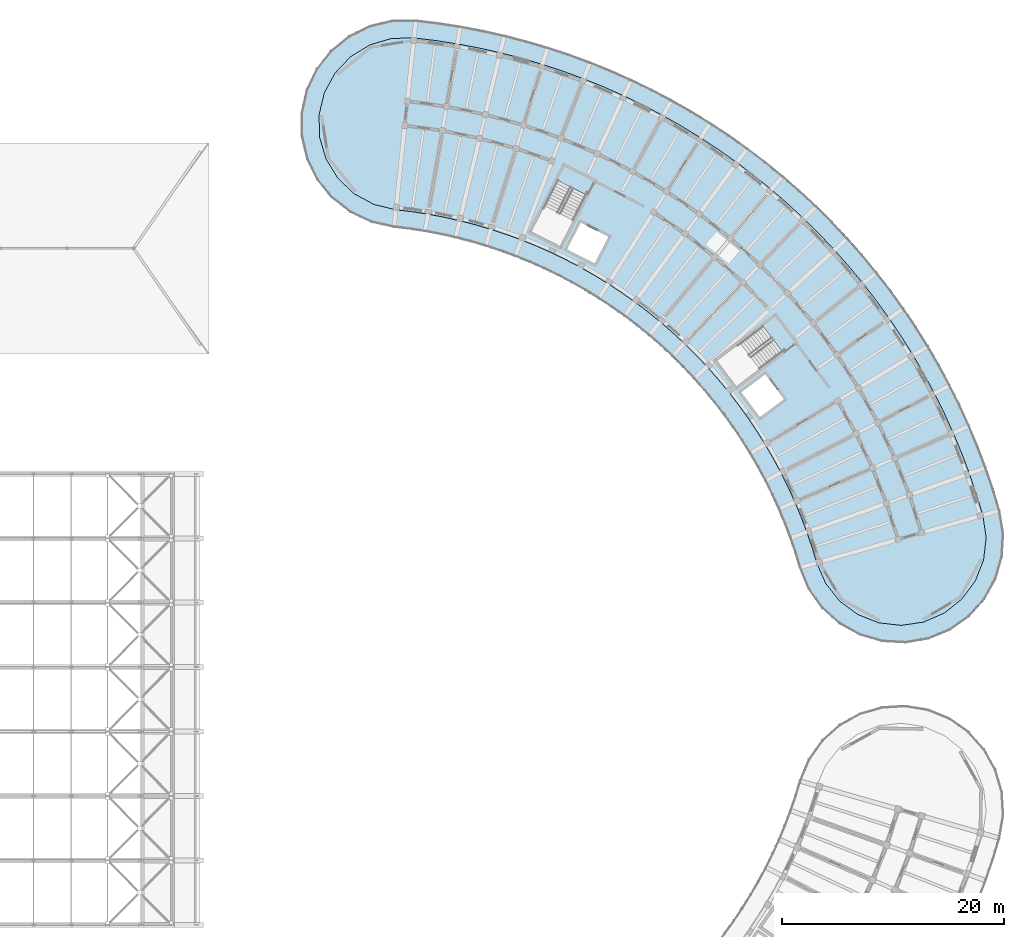
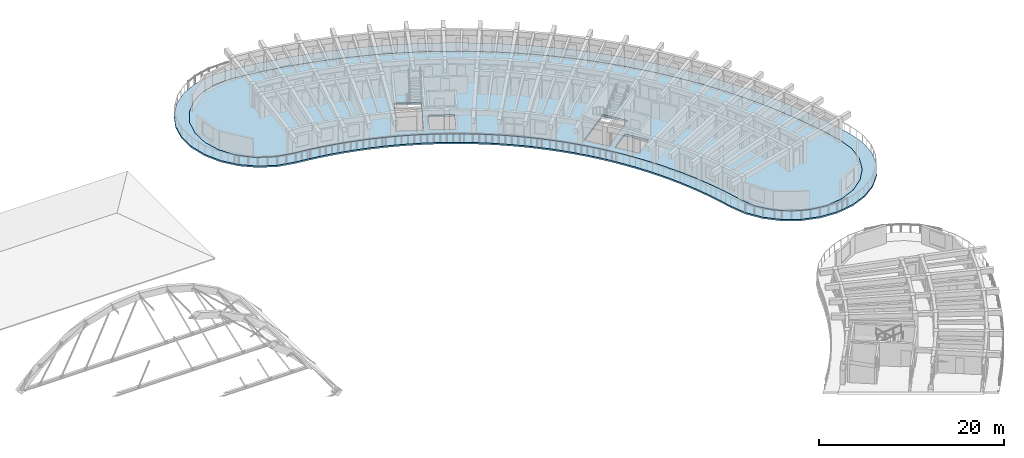
# One storey, part 32 of 81: 2 slabs.
"""IFC4 building model written with IfcOpenShell, lengths in metres."""

from ifc_helpers import new_model, si_unit, direction, frame, origin, place, context, subcontext, project, spatial, polyline, outline, extrude, material, layer, layer_set, type_object, element, save


model = new_model("IFC4")

# Units and contexts
model_context = context("Model", 3, precision=1e-05, world=origin(), true_north=direction((0.0, 1.0)))
body_context = subcontext(model_context, "Body", "Model", "MODEL_VIEW")
ifc_project = project(units=[si_unit("LENGTHUNIT", "METRE"), si_unit("AREAUNIT", "SQUARE_METRE"), si_unit("VOLUMEUNIT", "CUBIC_METRE"), si_unit("PLANEANGLEUNIT", "RADIAN"), si_unit("MASSUNIT", "GRAM", prefix="KILO")], contexts=[model_context])

# Site, building, storey
site_placement = place(None, origin())
site = spatial("IfcSite", under=ifc_project, at=site_placement, CompositionType="ELEMENT")
building_placement = place(site_placement, origin())
building = spatial("IfcBuilding", under=site, at=building_placement, Name="Tanwirah Colonnade Gardens", CompositionType="ELEMENT")
storey_placement = place(building_placement, frame((0.0, 0.0, 8.840087890625)))
storey = spatial("IfcBuildingStorey", under=building, at=storey_placement, Name="L02", CompositionType="ELEMENT", Elevation=8.840087890625)

# Slabs
ifc_material_1 = material(Name="White architectural precast concrete C40/50", Category="concrete")
ifc_layer_1 = layer(ifc_material_1, 0.199951171875)
ifc_layer_set_1 = layer_set([ifc_layer_1], Name="White architectural precast concrete C40/50")
slab_type_1 = type_object("IfcSlabType", Name="SL-BAL-200", PredefinedType="FLOOR", material=ifc_layer_set_1)
slab_1_placement = place(storey_placement, frame((0.0, 0.0, -0.2001953125)))
element("IfcSlab", 1, at=slab_1_placement, inside=storey, type_object=slab_type_1, Name="Block B L02 Continuous White Balcony Ribbon", PredefinedType="FLOOR", context=body_context, shape_type="SweptSolid", body=[
    extrude(outline(polyline([(162.7529296875, 69.996337890625), (163.96875, 68.2783203125), (165.53662109375, 66.873779296875), (167.37744140625, 65.853271484375), (169.3994140625, 65.267822265625), (171.5009765625, 65.147216796875), (173.57666015625, 65.497314453125), (175.522216796875, 66.30029296875), (177.240478515625, 67.516357421875), (178.64501953125, 69.083984375), (179.66552734375, 70.925048828125), (180.250732421875, 72.947021484375), (180.37158203125, 75.048583984375), (180.021484375, 77.1240234375), (179.431640625, 79.060302734375), (178.778076171875, 80.97607421875), (178.06201171875, 82.869140625), (177.28369140625, 84.73779296875), (176.4443359375, 86.57958984375), (175.544677734375, 88.392822265625), (174.585693359375, 90.17529296875), (173.568603515625, 91.92529296875), (172.494384765625, 93.640869140625), (171.3642578125, 95.320068359375), (170.17919921875, 96.9609375), (168.940673828125, 98.56201171875), (167.650146484375, 100.121337890625), (166.30908203125, 101.63720703125), (164.91845703125, 103.108154296875), (163.48046875, 104.532470703125), (161.99609375, 105.90869140625), (160.467041015625, 107.235107421875), (158.895263671875, 108.510498046875), (157.282470703125, 109.7333984375), (155.6298828125, 110.90234375), (153.93994140625, 112.01611328125), (152.214111328125, 113.07373046875), (150.454345703125, 114.073974609375), (148.66259765625, 115.015380859375), (146.8408203125, 115.8974609375), (144.990966796875, 116.718994140625), (143.114990234375, 117.47900390625), (141.21484375, 118.1767578125), (139.29296875, 118.811767578125), (137.35107421875, 119.3828125), (135.391357421875, 119.8896484375), (133.416259765625, 120.33154296875), (131.427490234375, 120.7080078125), (129.42724609375, 121.018798828125), (127.41796875, 121.263671875), (125.313232421875, 121.247802734375), (123.2646484375, 120.76416015625), (121.375, 119.836669921875), (119.7392578125, 118.511962890625), (118.439208984375, 116.8564453125), (117.5400390625, 114.953369140625), (117.0869140625, 112.897705078125), (117.102783203125, 110.792724609375), (117.58642578125, 108.744140625), (118.513916015625, 106.854736328125), (119.838623046875, 105.21875), (121.494140625, 103.918701171875), (123.397216796875, 103.019775390625), (125.452880859375, 102.566650390625), (126.846923828125, 102.396728515625), (128.234619140625, 102.18115234375), (129.614501953125, 101.919921875), (130.98486328125, 101.61328125), (132.344482421875, 101.26171875), (133.69189453125, 100.865478515625), (135.025390625, 100.425048828125), (136.343505859375, 99.94091796875), (137.645263671875, 99.41357421875), (138.9287109375, 98.843505859375), (140.192626953125, 98.231689453125), (141.435791015625, 97.578369140625), (142.65673828125, 96.884521484375), (143.85400390625, 96.150634765625), (145.026611328125, 95.3779296875), (146.173095703125, 94.566650390625), (147.292236328125, 93.71826171875), (148.3828125, 92.83349609375), (149.443603515625, 91.9130859375), (150.473388671875, 90.95849609375), (151.47119140625, 89.97021484375), (152.435791015625, 88.94970703125), (153.366455078125, 87.89794921875), (154.26171875, 86.81591796875), (155.12109375, 85.705078125), (155.943115234375, 84.566650390625), (156.727294921875, 83.401611328125), (157.47265625, 82.21142578125), (158.178466796875, 80.997314453125), (158.84375, 79.760498046875), (159.468017578125, 78.50244140625), (160.05029296875, 77.224609375), (160.590087890625, 75.92822265625), (161.087158203125, 74.61474609375), (161.54052734375, 73.28564453125), (161.94970703125, 71.942138671875), (162.7529296875, 69.996337890625)]), holes=[polyline([(164.31689453125, 70.526123046875), (163.506591796875, 72.39013671875), (163.082275390625, 73.78271484375), (163.08203125, 73.783447265625), (162.611572265625, 75.16259765625), (162.611328125, 75.1630859375), (162.095947265625, 76.52587890625), (162.095703125, 76.526611328125), (161.535400390625, 77.87158203125), (161.53515625, 77.872314453125), (160.930908203125, 79.1982421875), (160.9306640625, 79.19873046875), (160.282958984375, 80.504150390625), (160.28271484375, 80.504638671875), (159.59228515625, 81.787841796875), (159.592041015625, 81.788330078125), (158.85986328125, 83.048095703125), (158.859619140625, 83.048828125), (158.086181640625, 84.28369140625), (158.0859375, 84.2841796875), (157.272216796875, 85.492919921875), (157.271728515625, 85.493408203125), (156.418701171875, 86.6748046875), (156.41845703125, 86.67529296875), (155.52685546875, 87.827880859375), (155.526611328125, 87.828369140625), (154.597412109375, 88.950927734375), (154.59716796875, 88.951416015625), (153.631591796875, 90.042724609375), (153.631103515625, 90.043212890625), (152.630126953125, 91.10205078125), (152.629638671875, 91.1025390625), (151.594482421875, 92.1279296875), (151.593994140625, 92.12841796875), (150.525390625, 93.118896484375), (150.52490234375, 93.119384765625), (149.42431640625, 94.07421875), (149.423828125, 94.07470703125), (148.292236328125, 94.99267578125), (148.291748046875, 94.9931640625), (147.130615234375, 95.87353515625), (147.130126953125, 95.873779296875), (145.940673828125, 96.71533203125), (145.940185546875, 96.7158203125), (144.723388671875, 97.517578125), (144.722900390625, 97.51806640625), (143.48046875, 98.279296875), (143.47998046875, 98.279541015625), (142.213134765625, 98.99951171875), (142.212646484375, 99.0), (140.9228515625, 99.677734375), (140.922119140625, 99.677978515625), (139.61083984375, 100.31298828125), (139.610107421875, 100.313232421875), (138.2783203125, 100.904541015625), (138.27783203125, 100.90478515625), (136.92724609375, 101.451904296875), (136.9267578125, 101.4521484375), (135.55908203125, 101.95458984375), (135.558349609375, 101.954833984375), (134.1748046875, 102.411865234375), (134.174072265625, 102.411865234375), (132.7763671875, 102.822998046875), (132.775634765625, 102.8232421875), (131.364990234375, 103.18798828125), (131.3642578125, 103.188232421875), (129.9423828125, 103.50634765625), (129.941650390625, 103.506591796875), (128.510009765625, 103.777587890625), (128.509521484375, 103.777587890625), (127.069580078125, 104.00146484375), (127.069091796875, 104.00146484375), (125.623779296875, 104.177490234375), (123.6474609375, 104.652099609375), (121.862548828125, 105.62109375), (120.389404296875, 107.01904296875), (119.328369140625, 108.750732421875), (118.75146484375, 110.697998046875), (118.6982421875, 112.728271484375), (119.17236328125, 114.703125), (120.141357421875, 116.488037109375), (121.53955078125, 117.961181640625), (123.271240234375, 119.0224609375), (125.218505859375, 119.59912109375), (127.249755859375, 119.65234375), (129.204833984375, 119.414306640625), (131.15234375, 119.111572265625), (133.088623046875, 118.744873046875), (135.01171875, 118.314697265625), (136.919677734375, 117.8212890625), (138.810302734375, 117.26513671875), (140.681640625, 116.647216796875), (142.531494140625, 115.9677734375), (144.35791015625, 115.227783203125), (146.158935546875, 114.427978515625), (147.932861328125, 113.5693359375), (149.67724609375, 112.652587890625), (151.390625, 111.6787109375), (153.07080078125, 110.649169921875), (154.71630859375, 109.564453125), (156.3251953125, 108.42626953125), (157.8955078125, 107.23583984375), (159.42578125, 105.994140625), (160.914306640625, 104.70263671875), (162.359619140625, 103.36279296875), (163.759765625, 101.97607421875), (165.113525390625, 100.5439453125), (166.41943359375, 99.068115234375), (167.67578125, 97.5498046875), (168.881591796875, 95.990966796875), (170.035400390625, 94.393310546875), (171.1357421875, 92.758544921875), (172.181640625, 91.08837890625), (173.171875, 89.384521484375), (174.10546875, 87.64892578125), (174.9814453125, 85.883544921875), (175.798828125, 84.09033203125), (176.556396484375, 82.271240234375), (177.253662109375, 80.427978515625), (177.889892578125, 78.562744140625), (178.4638671875, 76.6787109375), (178.76416015625, 74.6689453125), (178.534423828125, 72.651123046875), (177.7900390625, 70.761474609375), (176.58203125, 69.12890625), (174.992431640625, 67.864501953125), (173.130126953125, 67.0546875), (171.121337890625, 66.75439453125), (169.103515625, 66.984375), (167.2138671875, 67.728759765625), (165.581298828125, 68.936767578125), (164.31689453125, 70.526123046875)])]), origin(), (0.0, 0.0, 1.0), 0.2001953125),
])
ifc_material_2 = material(Name="Precast concrete C40/50", Category="concrete")
ifc_layer_2 = layer(ifc_material_2, 0.2548828125)
ifc_layer_set_2 = layer_set([ifc_layer_2], Name="Precast concrete C40/50")
slab_type_2 = type_object("IfcSlabType", Name="SL-RES-255", PredefinedType="FLOOR", material=ifc_layer_set_2)
slab_2_placement = place(storey_placement, frame((0.0, 0.0, -0.255126953125)))
element("IfcSlab", 2, at=slab_2_placement, inside=storey, type_object=slab_type_2, Name="Block B L02 Precast Composite Floor Slab", PredefinedType="FLOOR", context=body_context, shape_type="SweptSolid", body=[
    extrude(outline(polyline([(162.5927734375, 75.156005859375), (163.06298828125, 73.777099609375), (163.48779296875, 72.383056640625), (164.2998046875, 70.515869140625), (165.5673828125, 68.92236328125), (167.2041015625, 67.711181640625), (169.0986328125, 66.96484375), (171.121826171875, 66.734375), (173.135498046875, 67.035400390625), (175.0029296875, 67.84716796875), (176.596435546875, 69.11474609375), (177.8076171875, 70.751708984375), (178.553955078125, 72.646240234375), (178.784423828125, 74.669189453125), (178.4833984375, 76.68310546875), (177.908935546875, 78.56884765625), (177.2724609375, 80.434814453125), (176.574951171875, 82.278564453125), (175.817138671875, 84.098388671875), (174.99951171875, 85.892333984375), (174.123291015625, 87.658203125), (173.189453125, 89.394287109375), (172.19873046875, 91.0986328125), (171.152587890625, 92.76953125), (170.0517578125, 94.40478515625), (168.897705078125, 96.0029296875), (167.69140625, 97.562255859375), (166.4345703125, 99.0810546875), (165.12841796875, 100.5576171875), (163.774169921875, 101.990234375), (162.37353515625, 103.377197265625), (160.927734375, 104.717529296875), (159.438720703125, 106.009521484375), (157.907958984375, 107.25146484375), (156.3369140625, 108.442626953125), (154.7275390625, 109.5810546875), (153.08154296875, 110.666015625), (151.400634765625, 111.696044921875), (149.686767578125, 112.669921875), (147.94189453125, 113.587158203125), (146.16748046875, 114.446044921875), (144.36572265625, 115.24609375), (142.53857421875, 115.986328125), (140.688232421875, 116.666015625), (138.816162109375, 117.284423828125), (136.925048828125, 117.840576171875), (135.016357421875, 118.334228515625), (133.092529296875, 118.7646484375), (131.15576171875, 119.13134765625), (129.207763671875, 119.43408203125), (127.250732421875, 119.67236328125), (125.21533203125, 119.619140625), (123.262939453125, 119.040771484375), (121.52685546875, 117.976806640625), (120.125244140625, 116.499755859375), (119.153564453125, 114.71044921875), (118.67822265625, 112.73046875), (118.7314453125, 110.695068359375), (119.309814453125, 108.74267578125), (120.373779296875, 107.00634765625), (121.850830078125, 105.604736328125), (123.64013671875, 104.63330078125), (125.6201171875, 104.157958984375), (127.066650390625, 103.981689453125), (128.50634765625, 103.758056640625), (129.93798828125, 103.48681640625), (131.35986328125, 103.168701171875), (132.770751953125, 102.803955078125), (134.16845703125, 102.392822265625), (135.552001953125, 101.935791015625), (136.919921875, 101.433349609375), (138.270263671875, 100.88623046875), (139.60205078125, 100.294921875), (140.91357421875, 99.659912109375), (142.203369140625, 98.982177734375), (143.47021484375, 98.26220703125), (144.71240234375, 97.5009765625), (145.92919921875, 96.698974609375), (147.11865234375, 95.857421875), (148.27978515625, 94.977294921875), (149.4111328125, 94.05908203125), (150.51171875, 93.104248046875), (151.580322265625, 92.11376953125), (152.61572265625, 91.08837890625), (153.61669921875, 90.029541015625), (154.58203125, 88.938232421875), (155.510986328125, 87.815673828125), (156.402587890625, 86.6630859375), (157.255615234375, 85.48193359375), (158.0693359375, 84.27294921875), (158.842529296875, 83.0380859375), (159.57470703125, 81.7783203125), (160.26513671875, 80.4951171875), (160.91259765625, 79.18994140625), (161.516845703125, 77.864013671875), (162.0771484375, 76.518798828125), (162.5927734375, 75.156005859375)]), holes=[polyline([(160.4169921875, 91.38427734375), (156.2666015625, 88.256591796875), (154.512939453125, 90.583740234375), (158.663330078125, 93.71142578125), (160.4169921875, 91.38427734375)]), polyline([(158.402587890625, 85.5048828125), (156.717529296875, 87.7412109375), (158.873779296875, 89.365966796875), (160.558837890625, 87.1298828125), (158.402587890625, 85.5048828125)]), polyline([(137.8017578125, 102.199951171875), (140.1611328125, 106.830322265625), (142.757568359375, 105.507568359375), (140.398193359375, 100.876953125), (137.8017578125, 102.199951171875)]), polyline([(142.255126953125, 103.01708984375), (144.75, 101.745849609375), (143.524169921875, 99.34033203125), (141.029541015625, 100.611328125), (142.255126953125, 103.01708984375)])]), origin(), (0.0, 0.0, 1.0), 0.255126953125),
])

save(model, "model.ifc")
